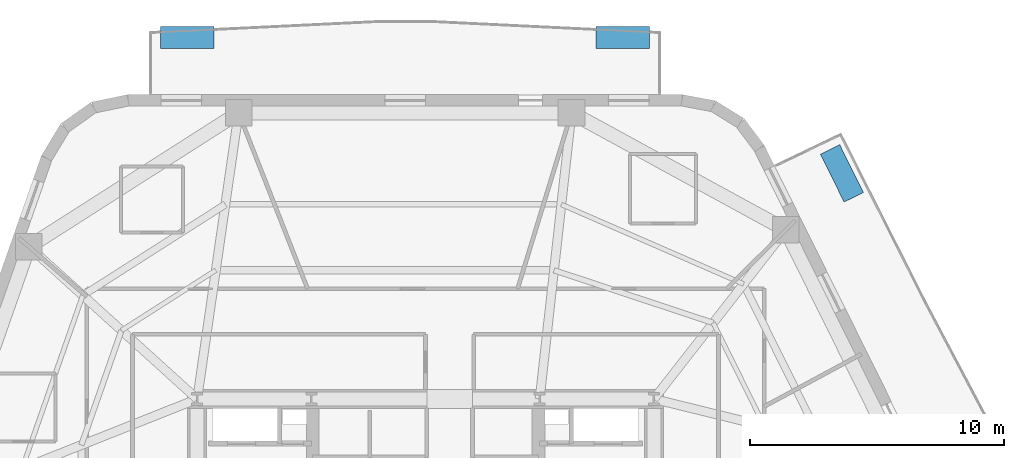
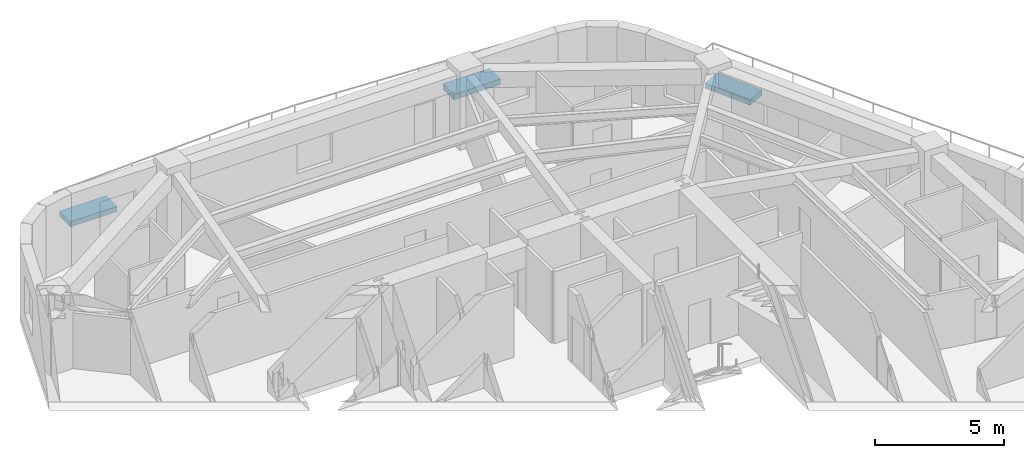
# One storey, part 7 of 10: 3 discrete accessories.
"""IFC4 building model written with IfcOpenShell, lengths in metres."""

from ifc_helpers import new_model, si_unit, direction, frame, origin, origin_2d, place, context, subcontext, project, spatial, rectangle, extrude, material, type_object, element, save


model = new_model("IFC4")

# Units and contexts
model_context = context("Model", 3, precision=1e-05, world=origin(), true_north=direction((0.0, 1.0)))
body_context = subcontext(model_context, "Body", "Model", "MODEL_VIEW")
ifc_project = project(units=[si_unit("LENGTHUNIT", "METRE"), si_unit("AREAUNIT", "SQUARE_METRE"), si_unit("VOLUMEUNIT", "CUBIC_METRE"), si_unit("PLANEANGLEUNIT", "RADIAN"), si_unit("MASSUNIT", "GRAM", prefix="KILO")], contexts=[model_context])

# Site, building, storey
site_placement = place(None, origin())
site = spatial("IfcSite", under=ifc_project, at=site_placement, CompositionType="ELEMENT")
building_placement = place(site_placement, origin())
building = spatial("IfcBuilding", under=site, at=building_placement, Name="Kilnhurst Terrace Hotel", CompositionType="ELEMENT")
storey_placement = place(building_placement, frame((0.0, 0.0, 190.39990234375)))
storey = spatial("IfcBuildingStorey", under=building, at=storey_placement, Name="L47", CompositionType="ELEMENT", Elevation=190.39990234375)

# Discrete accessories
ifc_material_1 = material(Name="Precast Concrete C40/50 Shrub Planter", Category="concrete")
discrete_accessory_type_1 = type_object("IfcDiscreteAccessoryType", Name="PLN-SHRUB-240", PredefinedType="USERDEFINED", material=ifc_material_1)
for number, where, z_axis, x_axis, name in (
    (1, (16.414306640625, 16.393310546875, 0.0), (0.0, 0.0, 1.0), (-0.444244308887, 0.895905683664, 0.0), "L47 Structural Tree Planter Box PLANTER BAL-L1A.2"),
    (2, (-9.3935546875, 21.75, 0.0), (0.0, 0.0, 1.0), (-1.0, 0.0, 0.0), "L47 Structural Tree Planter Box PLANTER BAL-L1B.2"),
):
    element("IfcDiscreteAccessory", number, at=place(storey_placement, frame(where, z_axis=z_axis, x_axis=x_axis)), inside=storey, type_object=discrete_accessory_type_1, Name=name, ObjectType="PLANTER", PredefinedType="USERDEFINED", context=body_context, shape_type="SweptSolid", body=[
        extrude(rectangle(XDim=2.10009765625, YDim=0.85009765625, at=origin_2d()), origin(), (0.0, 0.0, 1.0), 0.239990234375),
    ])
ifc_material_2 = material(Name="Precast Concrete C40/50 Tree Planter", Category="concrete")
discrete_accessory_type_2 = type_object("IfcDiscreteAccessoryType", Name="PLN-TREE-260", PredefinedType="USERDEFINED", material=ifc_material_2)
discrete_accessory_placement = place(storey_placement, frame((7.779296875, 21.75, 0.0), z_axis=(0.0, 0.0, 1.0), x_axis=(-1.0, 0.0, 0.0)))
element("IfcDiscreteAccessory", 3, at=discrete_accessory_placement, inside=storey, type_object=discrete_accessory_type_2, Name="L47 Structural Tree Planter Box PLANTER BAL-L1B.1", ObjectType="PLANTER", PredefinedType="USERDEFINED", context=body_context, shape_type="SweptSolid", body=[
    extrude(rectangle(XDim=2.10009765625, YDim=0.85009765625, at=origin_2d()), origin(), (0.0, 0.0, 1.0), 0.260009765625),
])

save(model, "model.ifc")
